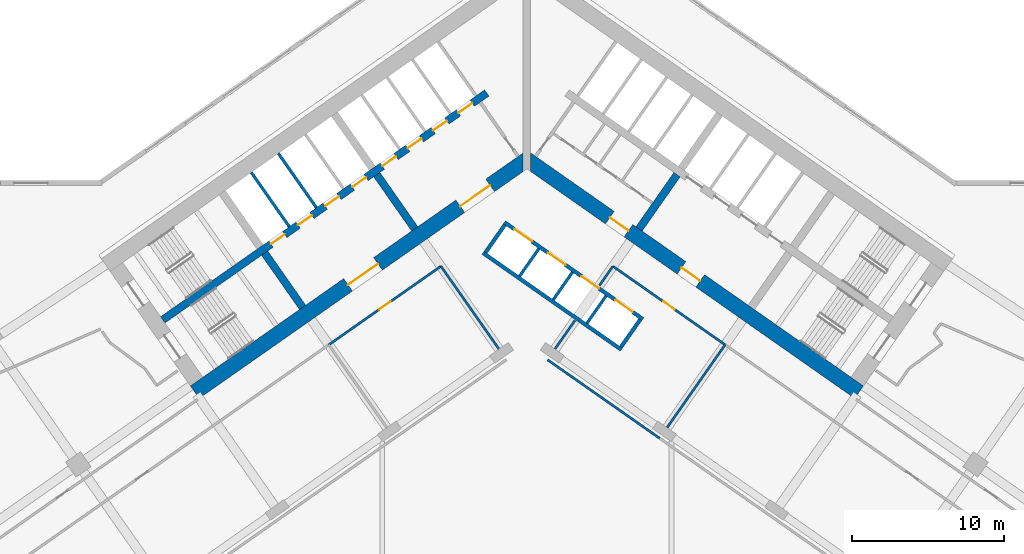
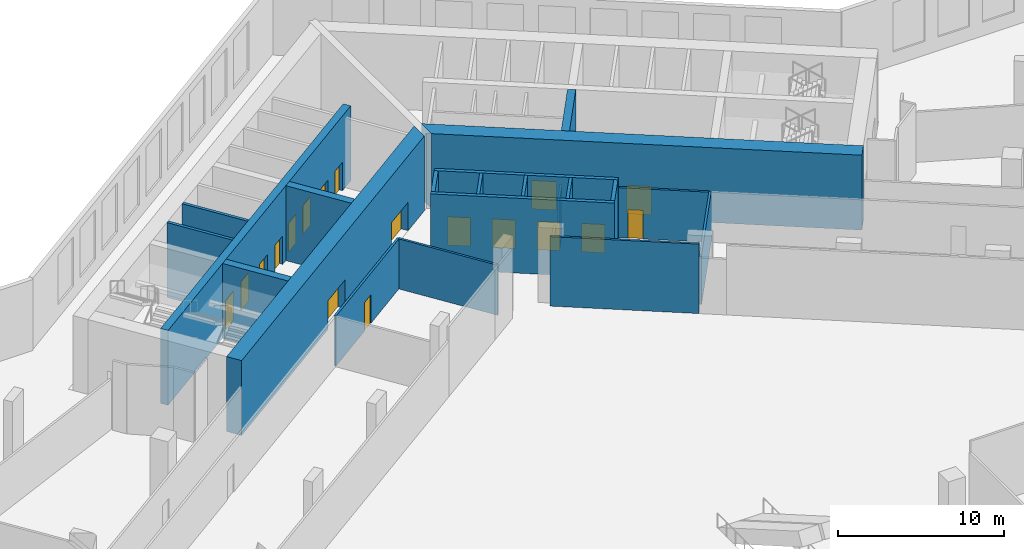
# One storey, part 10 of 26: 22 walls, 18 doors, 18 openings.
"""IFC4 building model written with IfcOpenShell, lengths in metres."""

from ifc_helpers import new_model, si_unit, direction, frame, frame_2d, origin, place, context, subcontext, project, spatial, polyline, rectangle, outline, extrude, material, layer, layer_set, type_object, element, fill, save


model = new_model("IFC4")

# Units and contexts
model_context = context("Model", 3, precision=1e-05, world=origin(), true_north=direction((0.0, 1.0)))
body_context = subcontext(model_context, "Body", "Model", "MODEL_VIEW")
ifc_project = project(units=[si_unit("LENGTHUNIT", "METRE"), si_unit("AREAUNIT", "SQUARE_METRE"), si_unit("VOLUMEUNIT", "CUBIC_METRE"), si_unit("PLANEANGLEUNIT", "RADIAN"), si_unit("MASSUNIT", "GRAM", prefix="KILO")], contexts=[model_context])

# Site, building, storey
site_placement = place(None, origin())
site = spatial("IfcSite", under=ifc_project, at=site_placement, CompositionType="ELEMENT")
building_placement = place(site_placement, origin())
building = spatial("IfcBuilding", under=site, at=building_placement, Name="Tel Ilan Convention Tower", CompositionType="ELEMENT")
storey_placement = place(building_placement, frame((0.0, 0.0, 37.5)))
storey = spatial("IfcBuildingStorey", under=building, at=storey_placement, Name="L05", CompositionType="ELEMENT", Elevation=37.5)

# Wall, openings, doors
ifc_material_1 = material(Name="Concrete C60/75", Category="concrete")
ifc_layer_1 = layer(ifc_material_1, 1.0)
ifc_layer_set_1 = layer_set([ifc_layer_1], Name="Core Shear Wall 1000 mm C60/75")
wall_type_1 = type_object("IfcWallType", Name="Core Shear Wall 1000 mm C60/75", PredefinedType="SHEAR", material=ifc_layer_set_1)
wall_1_placement = place(storey_placement, frame((0.036865234375, -0.584716796875, 0.0), z_axis=(0.0, 0.0, 1.0), x_axis=(-0.819157152511, -0.573569140985, 0.0)))
wall_1 = element("IfcWall", 1, at=wall_1_placement, inside=storey, type_object=wall_type_1, Name="L05 core wall W-front", PredefinedType="SHEAR", context=body_context, shape_type="SweptSolid", body=[
    extrude(outline(polyline([(26.69482421875, 0.500244140625), (0.7001953125, 0.499755859375), (0.0, -0.5), (26.69482421875, -0.499755859375), (26.69482421875, 0.500244140625)])), origin(), (0.0, 0.0, 1.0), 5.5),
])
opening_1_placement = place(wall_1_placement, frame((2.994873046875, 0.0, 0.0)))
opening_1 = element("IfcOpeningElement", 2, at=opening_1_placement, cuts=wall_1, Name="Opening CD0805", PredefinedType="OPENING", context=body_context, shape_type="SweptSolid", body=[
    extrude(rectangle(XDim=2.39990234375, YDim=2.10009765625, at=frame_2d((1.199951171875, 1.050048828125))), frame((0.0, 0.510009765625, 0.0), z_axis=(0.0, -1.0, 0.0), x_axis=(1.0, 0.0, 0.0)), (0.0, 0.0, 1.0), 1.02001953125),
])
opening_2_placement = place(wall_1_placement, frame((11.994873046875, 0.0, 0.0)))
opening_2 = element("IfcOpeningElement", 3, at=opening_2_placement, cuts=wall_1, Name="Opening CD0806", PredefinedType="OPENING", context=body_context, shape_type="SweptSolid", body=[
    extrude(rectangle(XDim=2.39990234375, YDim=2.10009765625, at=frame_2d((1.199951171875, 1.050048828125))), frame((0.0, 0.510009765625, 0.0), z_axis=(0.0, -1.0, 0.0), x_axis=(1.0, 0.0, 0.0)), (0.0, 0.0, 1.0), 1.02001953125),
])
ifc_material_2 = material(Name="Glazed Aluminium Door Leaf", Category="aluminium")
door_type_1 = type_object("IfcDoorType", Name="Lobby Opening Door 2400 x 2100 FD60S", OperationType="NOTDEFINED", PredefinedType="DOOR", material=ifc_material_2)
door_1_placement = place(opening_1_placement, origin())
door_1 = element("IfcDoor", 4, at=door_1_placement, inside=storey, type_object=door_type_1, Name="Lift Lobby LR1-LR4 opening", OperationType="DOUBLE_DOOR_SINGLE_SWING", OverallHeight=2.10009765625, OverallWidth=2.39990234375, PredefinedType="DOOR", context=body_context, shape_type="SweptSolid", body=[
    extrude(rectangle(XDim=2.39990234375, YDim=2.10009765625, at=frame_2d((1.199951171875, 1.050048828125))), frame((0.0, 0.02490234375, 0.0), z_axis=(0.0, -1.0, 0.0), x_axis=(1.0, 0.0, 0.0)), (0.0, 0.0, 1.0), 0.050048828125),
])
fill(opening_1, door_1)
door_2_placement = place(opening_2_placement, origin())
door_2 = element("IfcDoor", 5, at=door_2_placement, inside=storey, type_object=door_type_1, Name="Lift Lobby LR5-LR8 opening", OperationType="DOUBLE_DOOR_SINGLE_SWING", OverallHeight=2.10009765625, OverallWidth=2.39990234375, PredefinedType="DOOR", context=body_context, shape_type="SweptSolid", body=[
    extrude(rectangle(XDim=2.39990234375, YDim=2.10009765625, at=frame_2d((1.199951171875, 1.050048828125))), frame((0.0, 0.02490234375, 0.0), z_axis=(0.0, -1.0, 0.0), x_axis=(1.0, 0.0, 0.0)), (0.0, 0.0, 1.0), 0.050048828125),
])
fill(opening_2, door_2)

wall_2_placement = place(storey_placement, frame((-0.036865234375, -0.584716796875, 0.0), z_axis=(0.0, 0.0, 1.0), x_axis=(0.819157152511, -0.573569140985, 0.0)))
wall_2 = element("IfcWall", 6, at=wall_2_placement, inside=storey, type_object=wall_type_1, Name="L05 core wall E-front", PredefinedType="SHEAR", context=body_context, shape_type="SweptSolid", body=[
    extrude(outline(polyline([(26.69482421875, 0.499755859375), (0.0, 0.5), (0.7001953125, -0.499755859375), (26.69482421875, -0.500244140625), (26.69482421875, 0.499755859375)])), origin(), (0.0, 0.0, 1.0), 5.5),
])
opening_3_placement = place(wall_2_placement, frame((6.69482421875, 0.0, 0.0)))
opening_3 = element("IfcOpeningElement", 7, at=opening_3_placement, cuts=wall_2, Name="Opening CD0803", PredefinedType="OPENING", context=body_context, shape_type="SweptSolid", body=[
    extrude(rectangle(XDim=1.5, YDim=2.10009765625, at=frame_2d((0.75, 1.050048828125))), frame((0.0, 0.510009765625, 0.0), z_axis=(0.0, -1.0, 0.0), x_axis=(1.0, 0.0, 0.0)), (0.0, 0.0, 1.0), 1.02001953125),
])
opening_4_placement = place(wall_2_placement, frame((12.44482421875, 0.0, 0.0)))
opening_4 = element("IfcOpeningElement", 8, at=opening_4_placement, cuts=wall_2, Name="Opening CD0804", PredefinedType="OPENING", context=body_context, shape_type="SweptSolid", body=[
    extrude(rectangle(XDim=1.5, YDim=2.10009765625, at=frame_2d((0.75, 1.050048828125))), frame((0.0, 0.510009765625, 0.0), z_axis=(0.0, -1.0, 0.0), x_axis=(1.0, 0.0, 0.0)), (0.0, 0.0, 1.0), 1.02001953125),
])
ifc_material_3 = material(Name="Glazed Aluminium Door Leaf", Category="aluminium")
door_type_2 = type_object("IfcDoorType", Name="Lobby Opening Door 1500 x 2100 FD60S", OperationType="NOTDEFINED", PredefinedType="DOOR", material=ifc_material_3)
door_3_placement = place(opening_4_placement, origin())
door_3 = element("IfcDoor", 9, at=door_3_placement, inside=storey, type_object=door_type_2, Name="Firefighting Lobby door", OperationType="DOUBLE_DOOR_SINGLE_SWING", OverallHeight=2.10009765625, OverallWidth=1.5, PredefinedType="DOOR", context=body_context, shape_type="SweptSolid", body=[
    extrude(rectangle(XDim=1.5, YDim=2.10009765625, at=frame_2d((0.75, 1.050048828125))), frame((0.0, 0.02490234375, 0.0), z_axis=(0.0, -1.0, 0.0), x_axis=(1.0, 0.0, 0.0)), (0.0, 0.0, 1.0), 0.050048828125),
])
fill(opening_4, door_3)
ifc_material_4 = material(Name="Laminated Timber Door Leaf", Category="wood")
door_type_3 = type_object("IfcDoorType", Name="Toilet Door 1500 x 2100 FD30S", OperationType="NOTDEFINED", PredefinedType="DOOR", material=ifc_material_4)
door_4_placement = place(opening_3_placement, origin())
door_4 = element("IfcDoor", 10, at=door_4_placement, inside=storey, type_object=door_type_3, Name="WC Lobby door", OperationType="SINGLE_SWING_RIGHT", OverallHeight=2.10009765625, OverallWidth=1.5, PredefinedType="DOOR", context=body_context, shape_type="SweptSolid", body=[
    extrude(rectangle(XDim=1.5, YDim=2.10009765625, at=frame_2d((0.75, 1.050048828125))), frame((0.0, 0.02490234375, 0.0), z_axis=(0.0, -1.0, 0.0), x_axis=(1.0, 0.0, 0.0)), (0.0, 0.0, 1.0), 0.050048828125),
])
fill(opening_3, door_4)

# Walls
ifc_material_5 = material(Name="Concrete C60/75", Category="concrete")
ifc_layer_2 = layer(ifc_material_5, 0.5)
ifc_layer_set_2 = layer_set([ifc_layer_2], Name="Core Shear Wall 500 mm C60/75")
wall_type_2 = type_object("IfcWallType", Name="Core Shear Wall 500 mm C60/75", PredefinedType="SHEAR", material=ifc_layer_set_2)
wall_3_placement = place(storey_placement, frame((-7.372314453125, -5.162109375, 0.0), z_axis=(0.0, 0.0, 1.0), x_axis=(-0.573594173421, 0.819139624372, 0.0)))
element("IfcWall", 11, at=wall_3_placement, inside=storey, type_object=wall_type_2, Name="L05 core wall W-cross1-1", PredefinedType="SHEAR", context=body_context, shape_type="SweptSolid", body=[
    extrude(outline(polyline([(4.349853515625, 0.25), (0.0, 0.250244140625), (0.0, -0.25), (4.349853515625, -0.25), (4.349853515625, 0.25)])), origin(), (0.0, 0.0, 1.0), 5.5),
])
wall_4_placement = place(storey_placement, frame((-14.74462890625, -10.324462890625, 0.0), z_axis=(0.0, 0.0, 1.0), x_axis=(-0.57356780395, 0.819158088694, 0.0)))
element("IfcWall", 12, at=wall_4_placement, inside=storey, type_object=wall_type_2, Name="L05 core wall W-cross2-1", PredefinedType="SHEAR", context=body_context, shape_type="SweptSolid", body=[
    extrude(outline(polyline([(4.35009765625, 0.250244140625), (0.0, 0.25), (0.0, -0.25), (4.35009765625, -0.25), (4.35009765625, 0.250244140625)])), origin(), (0.0, 0.0, 1.0), 5.5),
])

# Wall, openings, doors
wall_5_placement = place(storey_placement, frame((-2.638427734375, 3.76806640625, 0.0), z_axis=(0.0, 0.0, 1.0), x_axis=(-0.819148977158, -0.573580816643, 0.0)))
wall_5 = element("IfcWall", 13, at=wall_5_placement, inside=storey, type_object=wall_type_2, Name="L05 core wall W-spine", PredefinedType="SHEAR", context=body_context, shape_type="SweptSolid", body=[
    extrude(outline(polyline([(26.0, 0.249755859375), (0.0, 0.25), (0.0, -0.25), (26.0, -0.250244140625), (26.0, 0.249755859375)])), origin(), (0.0, 0.0, 1.0), 5.5),
])
opening_5_placement = place(wall_5_placement, frame((1.168701171875, 0.0, 0.0)))
opening_5 = element("IfcOpeningElement", 14, at=opening_5_placement, cuts=wall_5, Name="Opening LD0804", PredefinedType="OPENING", context=body_context, shape_type="SweptSolid", body=[
    extrude(rectangle(XDim=1.10009765625, YDim=2.10009765625, at=frame_2d((0.550048828125, 1.050048828125))), frame((0.0, 0.260009765625, 0.0), z_axis=(0.0, -1.0, 0.0), x_axis=(1.0, 0.0, 0.0)), (0.0, 0.0, 1.0), 0.52001953125),
])
opening_6_placement = place(wall_5_placement, frame((3.206298828125, 0.0, 0.0)))
opening_6 = element("IfcOpeningElement", 15, at=opening_6_placement, cuts=wall_5, Name="Opening LD0805", PredefinedType="OPENING", context=body_context, shape_type="SweptSolid", body=[
    extrude(rectangle(XDim=1.10009765625, YDim=2.10009765625, at=frame_2d((0.550048828125, 1.050048828125))), frame((0.0, 0.260009765625, 0.0), z_axis=(0.0, -1.0, 0.0), x_axis=(1.0, 0.0, 0.0)), (0.0, 0.0, 1.0), 0.52001953125),
])
opening_7_placement = place(wall_5_placement, frame((5.24365234375, 0.0, 0.0)))
opening_7 = element("IfcOpeningElement", 16, at=opening_7_placement, cuts=wall_5, Name="Opening LD0806", PredefinedType="OPENING", context=body_context, shape_type="SweptSolid", body=[
    extrude(rectangle(XDim=1.10009765625, YDim=2.10009765625, at=frame_2d((0.550048828125, 1.050048828125))), frame((0.0, 0.260009765625, 0.0), z_axis=(0.0, -1.0, 0.0), x_axis=(1.0, 0.0, 0.0)), (0.0, 0.0, 1.0), 0.52001953125),
])
opening_8_placement = place(wall_5_placement, frame((7.28125, 0.0, 0.0)))
opening_8 = element("IfcOpeningElement", 17, at=opening_8_placement, cuts=wall_5, Name="Opening LD0807", PredefinedType="OPENING", context=body_context, shape_type="SweptSolid", body=[
    extrude(rectangle(XDim=1.10009765625, YDim=2.10009765625, at=frame_2d((0.550048828125, 1.050048828125))), frame((0.0, 0.260009765625, 0.0), z_axis=(0.0, -1.0, 0.0), x_axis=(1.0, 0.0, 0.0)), (0.0, 0.0, 1.0), 0.52001953125),
])
opening_9_placement = place(wall_5_placement, frame((9.6875, 0.0, 0.0)))
opening_9 = element("IfcOpeningElement", 18, at=opening_9_placement, cuts=wall_5, Name="Opening LD0808", PredefinedType="OPENING", context=body_context, shape_type="SweptSolid", body=[
    extrude(rectangle(XDim=1.10009765625, YDim=2.10009765625, at=frame_2d((0.550048828125, 1.050048828125))), frame((0.0, 0.260009765625, 0.0), z_axis=(0.0, -1.0, 0.0), x_axis=(1.0, 0.0, 0.0)), (0.0, 0.0, 1.0), 0.52001953125),
])
opening_10_placement = place(wall_5_placement, frame((11.862548828125, 0.0, 0.0)))
opening_10 = element("IfcOpeningElement", 19, at=opening_10_placement, cuts=wall_5, Name="Opening LD0809", PredefinedType="OPENING", context=body_context, shape_type="SweptSolid", body=[
    extrude(rectangle(XDim=1.10009765625, YDim=2.10009765625, at=frame_2d((0.550048828125, 1.050048828125))), frame((0.0, 0.260009765625, 0.0), z_axis=(0.0, -1.0, 0.0), x_axis=(1.0, 0.0, 0.0)), (0.0, 0.0, 1.0), 0.52001953125),
])
opening_11_placement = place(wall_5_placement, frame((14.03759765625, 0.0, 0.0)))
opening_11 = element("IfcOpeningElement", 20, at=opening_11_placement, cuts=wall_5, Name="Opening LD0810", PredefinedType="OPENING", context=body_context, shape_type="SweptSolid", body=[
    extrude(rectangle(XDim=1.10009765625, YDim=2.10009765625, at=frame_2d((0.550048828125, 1.050048828125))), frame((0.0, 0.260009765625, 0.0), z_axis=(0.0, -1.0, 0.0), x_axis=(1.0, 0.0, 0.0)), (0.0, 0.0, 1.0), 0.52001953125),
])
opening_12_placement = place(wall_5_placement, frame((16.21240234375, 0.0, 0.0)))
opening_12 = element("IfcOpeningElement", 21, at=opening_12_placement, cuts=wall_5, Name="Opening LD0811", PredefinedType="OPENING", context=body_context, shape_type="SweptSolid", body=[
    extrude(rectangle(XDim=1.10009765625, YDim=2.10009765625, at=frame_2d((0.550048828125, 1.050048828125))), frame((0.0, 0.260009765625, 0.0), z_axis=(0.0, -1.0, 0.0), x_axis=(1.0, 0.0, 0.0)), (0.0, 0.0, 1.0), 0.52001953125),
])
ifc_material_6 = material(Name="Stainless Steel Sliding Door Leaf", Category="steel")
door_type_4 = type_object("IfcDoorType", Name="Lift Landing Door 1100 x 2100 FD120", OperationType="NOTDEFINED", PredefinedType="DOOR", material=ifc_material_6)
door_5_placement = place(opening_5_placement, origin())
door_5 = element("IfcDoor", 22, at=door_5_placement, inside=storey, type_object=door_type_4, Name="Lift LR1 landing door", OperationType="SLIDING_TO_LEFT", OverallHeight=2.10009765625, OverallWidth=1.10009765625, PredefinedType="DOOR", context=body_context, shape_type="SweptSolid", body=[
    extrude(rectangle(XDim=1.10009765625, YDim=2.10009765625, at=frame_2d((0.550048828125, 1.050048828125))), frame((0.0, 0.02490234375, 0.0), z_axis=(0.0, -1.0, 0.0), x_axis=(1.0, 0.0, 0.0)), (0.0, 0.0, 1.0), 0.050048828125),
])
fill(opening_5, door_5)
door_6_placement = place(opening_6_placement, origin())
door_6 = element("IfcDoor", 23, at=door_6_placement, inside=storey, type_object=door_type_4, Name="Lift LR2 landing door", OperationType="SLIDING_TO_RIGHT", OverallHeight=2.10009765625, OverallWidth=1.10009765625, PredefinedType="DOOR", context=body_context, shape_type="SweptSolid", body=[
    extrude(rectangle(XDim=1.10009765625, YDim=2.10009765625, at=frame_2d((0.550048828125, 1.050048828125))), frame((0.0, 0.02490234375, 0.0), z_axis=(0.0, -1.0, 0.0), x_axis=(1.0, 0.0, 0.0)), (0.0, 0.0, 1.0), 0.050048828125),
])
fill(opening_6, door_6)
door_7_placement = place(opening_7_placement, origin())
door_7 = element("IfcDoor", 24, at=door_7_placement, inside=storey, type_object=door_type_4, Name="Lift LR3 landing door", OperationType="SLIDING_TO_LEFT", OverallHeight=2.10009765625, OverallWidth=1.10009765625, PredefinedType="DOOR", context=body_context, shape_type="SweptSolid", body=[
    extrude(rectangle(XDim=1.10009765625, YDim=2.10009765625, at=frame_2d((0.550048828125, 1.050048828125))), frame((0.0, 0.02490234375, 0.0), z_axis=(0.0, -1.0, 0.0), x_axis=(1.0, 0.0, 0.0)), (0.0, 0.0, 1.0), 0.050048828125),
])
fill(opening_7, door_7)
door_8_placement = place(opening_8_placement, origin())
door_8 = element("IfcDoor", 25, at=door_8_placement, inside=storey, type_object=door_type_4, Name="Lift LR4 landing door", OperationType="SLIDING_TO_RIGHT", OverallHeight=2.10009765625, OverallWidth=1.10009765625, PredefinedType="DOOR", context=body_context, shape_type="SweptSolid", body=[
    extrude(rectangle(XDim=1.10009765625, YDim=2.10009765625, at=frame_2d((0.550048828125, 1.050048828125))), frame((0.0, 0.02490234375, 0.0), z_axis=(0.0, -1.0, 0.0), x_axis=(1.0, 0.0, 0.0)), (0.0, 0.0, 1.0), 0.050048828125),
])
fill(opening_8, door_8)
door_9_placement = place(opening_9_placement, origin())
door_9 = element("IfcDoor", 26, at=door_9_placement, inside=storey, type_object=door_type_4, Name="Lift LR5 landing door", OperationType="SLIDING_TO_LEFT", OverallHeight=2.10009765625, OverallWidth=1.10009765625, PredefinedType="DOOR", context=body_context, shape_type="SweptSolid", body=[
    extrude(rectangle(XDim=1.10009765625, YDim=2.10009765625, at=frame_2d((0.550048828125, 1.050048828125))), frame((0.0, 0.02490234375, 0.0), z_axis=(0.0, -1.0, 0.0), x_axis=(1.0, 0.0, 0.0)), (0.0, 0.0, 1.0), 0.050048828125),
])
fill(opening_9, door_9)
door_10_placement = place(opening_10_placement, origin())
door_10 = element("IfcDoor", 27, at=door_10_placement, inside=storey, type_object=door_type_4, Name="Lift LR6 landing door", OperationType="SLIDING_TO_RIGHT", OverallHeight=2.10009765625, OverallWidth=1.10009765625, PredefinedType="DOOR", context=body_context, shape_type="SweptSolid", body=[
    extrude(rectangle(XDim=1.10009765625, YDim=2.10009765625, at=frame_2d((0.550048828125, 1.050048828125))), frame((0.0, 0.02490234375, 0.0), z_axis=(0.0, -1.0, 0.0), x_axis=(1.0, 0.0, 0.0)), (0.0, 0.0, 1.0), 0.050048828125),
])
fill(opening_10, door_10)
door_11_placement = place(opening_11_placement, origin())
door_11 = element("IfcDoor", 28, at=door_11_placement, inside=storey, type_object=door_type_4, Name="Lift LR7 landing door", OperationType="SLIDING_TO_LEFT", OverallHeight=2.10009765625, OverallWidth=1.10009765625, PredefinedType="DOOR", context=body_context, shape_type="SweptSolid", body=[
    extrude(rectangle(XDim=1.10009765625, YDim=2.10009765625, at=frame_2d((0.550048828125, 1.050048828125))), frame((0.0, 0.02490234375, 0.0), z_axis=(0.0, -1.0, 0.0), x_axis=(1.0, 0.0, 0.0)), (0.0, 0.0, 1.0), 0.050048828125),
])
fill(opening_11, door_11)
door_12_placement = place(opening_12_placement, origin())
door_12 = element("IfcDoor", 29, at=door_12_placement, inside=storey, type_object=door_type_4, Name="Lift LR8 landing door", OperationType="SLIDING_TO_RIGHT", OverallHeight=2.10009765625, OverallWidth=1.10009765625, PredefinedType="DOOR", context=body_context, shape_type="SweptSolid", body=[
    extrude(rectangle(XDim=1.10009765625, YDim=2.10009765625, at=frame_2d((0.550048828125, 1.050048828125))), frame((0.0, 0.02490234375, 0.0), z_axis=(0.0, -1.0, 0.0), x_axis=(1.0, 0.0, 0.0)), (0.0, 0.0, 1.0), 0.050048828125),
])
fill(opening_12, door_12)

# Wall
wall_6_placement = place(storey_placement, frame((7.372314453125, -5.162109375, 0.0), z_axis=(0.0, 0.0, 1.0), x_axis=(0.573594173421, 0.819139624372, 0.0)))
element("IfcWall", 30, at=wall_6_placement, inside=storey, type_object=wall_type_2, Name="L05 core wall E-cross1-1", PredefinedType="SHEAR", context=body_context, shape_type="SweptSolid", body=[
    extrude(outline(polyline([(0.0, 0.25), (0.0, -0.250244140625), (4.349853515625, -0.25), (4.349853515625, 0.25), (0.0, 0.25)])), origin(), (0.0, 0.0, 1.0), 5.5),
])

# Wall, opening, door
ifc_material_7 = material(Name="Plasterboard on Steel Studs", Category="steel")
ifc_layer_3 = layer(ifc_material_7, 0.14990234375)
ifc_layer_set_3 = layer_set([ifc_layer_3], Name="Fire-rated Partition 150 EI 60")
wall_type_3 = type_object("IfcWallType", Name="Fire-rated Partition 150 EI 60", PredefinedType="PARTITIONING", material=ifc_layer_set_3)
wall_7_placement = place(storey_placement, frame((13.025634765625, -12.782958984375, 0.0), z_axis=(0.0, 0.0, 1.0), x_axis=(-0.81915291695, 0.57357519006, 0.0)))
wall_7 = element("IfcWall", 31, at=wall_7_placement, inside=storey, type_object=wall_type_3, Name="Partition 002", PredefinedType="PARTITIONING", context=body_context, shape_type="SweptSolid", body=[
    extrude(rectangle(XDim=9.001953125, YDim=0.14990234375, at=frame_2d((4.5009765625, 0.0))), origin(), (0.0, 0.0, 1.0), 3.679931640625),
])
opening_13_placement = place(wall_7_placement, frame((4.051025390625, 0.0, 0.0)))
opening_13 = element("IfcOpeningElement", 32, at=opening_13_placement, cuts=wall_7, Name="Opening L05-004", PredefinedType="OPENING", context=body_context, shape_type="SweptSolid", body=[
    extrude(rectangle(XDim=0.89990234375, YDim=2.10009765625, at=frame_2d((0.449951171875, 1.050048828125))), frame((0.0, 0.0849609375, 0.0), z_axis=(0.0, -1.0, 0.0), x_axis=(1.0, 0.0, 0.0)), (0.0, 0.0, 1.0), 0.169921875),
])
ifc_material_8 = material(Name="Timber Door Leaf in Steel Frame", Category="steel")
door_type_5 = type_object("IfcDoorType", Name="Room Fire Door 900x2100", OperationType="NOTDEFINED", PredefinedType="DOOR", material=ifc_material_8)
door_13_placement = place(opening_13_placement, origin())
door_13 = element("IfcDoor", 33, at=door_13_placement, inside=storey, type_object=door_type_5, Name="Door L05-004", OperationType="SINGLE_SWING_LEFT", OverallHeight=2.10009765625, OverallWidth=0.89990234375, PredefinedType="DOOR", context=body_context, shape_type="SweptSolid", body=[
    extrude(rectangle(XDim=0.89990234375, YDim=2.10009765625, at=frame_2d((0.449951171875, 1.050048828125))), frame((0.0, 0.02490234375, 0.0), z_axis=(0.0, -1.0, 0.0), x_axis=(1.0, 0.0, 0.0)), (0.0, 0.0, 1.0), 0.050048828125),
])
fill(opening_13, door_13)

wall_8_placement = place(storey_placement, frame((-5.651611328125, -7.61962890625, 0.0), z_axis=(0.0, 0.0, 1.0), x_axis=(-0.81915291695, -0.57357519006, 0.0)))
wall_8 = element("IfcWall", 34, at=wall_8_placement, inside=storey, type_object=wall_type_3, Name="Partition 005", PredefinedType="PARTITIONING", context=body_context, shape_type="SweptSolid", body=[
    extrude(rectangle(XDim=9.001953125, YDim=0.14990234375, at=frame_2d((4.5009765625, 0.0))), origin(), (0.0, 0.0, 1.0), 3.679931640625),
])
opening_14_placement = place(wall_8_placement, frame((4.051025390625, 0.0, 0.0)))
opening_14 = element("IfcOpeningElement", 35, at=opening_14_placement, cuts=wall_8, Name="Opening L05-001", PredefinedType="OPENING", context=body_context, shape_type="SweptSolid", body=[
    extrude(rectangle(XDim=0.89990234375, YDim=2.10009765625, at=frame_2d((0.449951171875, 1.050048828125))), frame((0.0, 0.0849609375, 0.0), z_axis=(0.0, -1.0, 0.0), x_axis=(1.0, 0.0, 0.0)), (0.0, 0.0, 1.0), 0.169921875),
])
ifc_material_9 = material(Name="Timber Door Leaf in Steel Frame", Category="steel")
door_type_6 = type_object("IfcDoorType", Name="Riser and Service Fire Door 900x2100", OperationType="NOTDEFINED", PredefinedType="DOOR", material=ifc_material_9)
door_14_placement = place(opening_14_placement, origin())
door_14 = element("IfcDoor", 36, at=door_14_placement, inside=storey, type_object=door_type_6, Name="Door L05-001", OperationType="SINGLE_SWING_RIGHT", OverallHeight=2.10009765625, OverallWidth=0.89990234375, PredefinedType="DOOR", context=body_context, shape_type="SweptSolid", body=[
    extrude(rectangle(XDim=0.89990234375, YDim=2.10009765625, at=frame_2d((0.449951171875, 1.050048828125))), frame((0.0, 0.02490234375, 0.0), z_axis=(0.0, -1.0, 0.0), x_axis=(1.0, 0.0, 0.0)), (0.0, 0.0, 1.0), 0.050048828125),
])
fill(opening_14, door_14)

# Walls
wall_9_placement = place(storey_placement, frame((13.02392578125, -12.78173828125, 0.0), z_axis=(0.0, 0.0, 1.0), x_axis=(-0.573556251799, -0.819166177294, 0.0)))
element("IfcWall", 37, at=wall_9_placement, inside=storey, type_object=wall_type_3, Name="Partition 017", PredefinedType="PARTITIONING", context=body_context, shape_type="SweptSolid", body=[
    extrude(rectangle(XDim=6.630126953125, YDim=0.14990234375, at=frame_2d((3.31494140625, 0.0))), origin(), (0.0, 0.0, 1.0), 3.679931640625),
])
wall_10_placement = place(storey_placement, frame((8.72216796875, -18.925537109375, 0.0), z_axis=(0.0, 0.0, 1.0), x_axis=(-0.819141427692, 0.573591598124, 0.0)))
element("IfcWall", 38, at=wall_10_placement, inside=storey, type_object=wall_type_3, Name="Partition 018", PredefinedType="PARTITIONING", context=body_context, shape_type="SweptSolid", body=[
    extrude(rectangle(XDim=9.0, YDim=0.14990234375, at=frame_2d((4.5, 0.0))), origin(), (0.0, 0.0, 1.0), 5.10009765625),
])
wall_11_placement = place(storey_placement, frame((1.848876953125, -13.050537109375, 0.0), z_axis=(0.0, 0.0, 1.0), x_axis=(0.57358452344, 0.819146381589, 0.0)))
element("IfcWall", 39, at=wall_11_placement, inside=storey, type_object=wall_type_3, Name="Partition 019", PredefinedType="PARTITIONING", context=body_context, shape_type="SweptSolid", body=[
    extrude(rectangle(XDim=2.27978515625, YDim=0.14990234375, at=frame_2d((1.139892578125, 0.0))), origin(), (0.0, 0.0, 1.0), 3.679931640625),
])
wall_12_placement = place(storey_placement, frame((4.7626953125, -8.889404296875, 0.0), z_axis=(0.0, 0.0, 1.0), x_axis=(0.573494057365, 0.819209720504, 0.0)))
element("IfcWall", 40, at=wall_12_placement, inside=storey, type_object=wall_type_3, Name="Partition 020", PredefinedType="PARTITIONING", context=body_context, shape_type="SweptSolid", body=[
    extrude(rectangle(XDim=1.550048828125, YDim=0.14990234375, at=frame_2d((0.77490234375, 0.0))), origin(), (0.0, 0.0, 1.0), 3.679931640625),
])
wall_13_placement = place(storey_placement, frame((-1.848876953125, -13.050537109375, 0.0), z_axis=(0.0, 0.0, 1.0), x_axis=(-0.573575988258, 0.819152358047, 0.0)))
element("IfcWall", 41, at=wall_13_placement, inside=storey, type_object=wall_type_3, Name="Partition 071", PredefinedType="PARTITIONING", context=body_context, shape_type="SweptSolid", body=[
    extrude(rectangle(XDim=6.632080078125, YDim=0.14990234375, at=frame_2d((3.31591796875, 0.0))), origin(), (0.0, 0.0, 1.0), 3.679931640625),
])
ifc_material_10 = material(Name="Concrete C30/37", Category="concrete")
ifc_layer_4 = layer(ifc_material_10, 0.199951171875)
ifc_layer_set_4 = layer_set([ifc_layer_4], Name="Lift Shaft Wall 200 mm C30/37")
wall_type_4 = type_object("IfcWallType", Name="Lift Shaft Wall 200 mm C30/37", PredefinedType="SOLIDWALL", material=ifc_layer_set_4)
wall_14_placement = place(storey_placement, frame((-13.84033203125, -3.7705078125, 0.0), z_axis=(0.0, 0.0, 1.0), x_axis=(-0.57356780395, 0.819158088694, 0.0)))
element("IfcWall", 42, at=wall_14_placement, inside=storey, type_object=wall_type_4, Name="L05 core wall bank-W2-p1", PredefinedType="SOLIDWALL", context=body_context, shape_type="SweptSolid", body=[
    extrude(rectangle(XDim=4.35009765625, YDim=0.199951171875, at=frame_2d((2.175048828125, 0.0))), origin(), (0.0, 0.0, 1.0), 5.5),
])
wall_15_placement = place(storey_placement, frame((-15.6220703125, -5.017822265625, 0.0), z_axis=(0.0, 0.0, 1.0), x_axis=(-0.573594173421, 0.819139624372, 0.0)))
element("IfcWall", 43, at=wall_15_placement, inside=storey, type_object=wall_type_4, Name="L05 core wall bank-W2-p2", PredefinedType="SOLIDWALL", context=body_context, shape_type="SweptSolid", body=[
    extrude(rectangle(XDim=4.349853515625, YDim=0.199951171875, at=frame_2d((2.1748046875, 0.0))), origin(), (0.0, 0.0, 1.0), 5.5),
])
for number, where, z_axis, x_axis, name in (
    (44, (-0.48046875, -8.27001953125, 0.0), (0.0, 0.0, 1.0), (0.573633636671, 0.819111989218, 0.0), "L05 core wall pl-part-0"),
    (45, (1.731201171875, -9.818603515625, 0.0), (0.0, 0.0, 1.0), (0.573633636671, 0.819111989218, 0.0), "L05 core wall pl-part-1"),
    (46, (3.943115234375, -11.367431640625, 0.0), (0.0, 0.0, 1.0), (0.573507030513, 0.819200638399, 0.0), "L05 core wall pl-part-2"),
):
    element("IfcWall", number, at=place(storey_placement, frame(where, z_axis=z_axis, x_axis=x_axis)), inside=storey, type_object=wall_type_4, Name=name, PredefinedType="SOLIDWALL", context=body_context, shape_type="SweptSolid", body=[
        extrude(rectangle(XDim=2.199951171875, YDim=0.199951171875, at=frame_2d((1.10009765625, 0.0))), origin(), (0.0, 0.0, 1.0), 5.5),
    ])
ifc_material_11 = material(Name="Concrete C30/37", Category="concrete")
ifc_layer_5 = layer(ifc_material_11, 0.25)
ifc_layer_set_5 = layer_set([ifc_layer_5], Name="Lift Shaft Wall 250 mm C30/37")
wall_type_5 = type_object("IfcWallType", Name="Lift Shaft Wall 250 mm C30/37", PredefinedType="SOLIDWALL", material=ifc_layer_set_5)
wall_16_placement = place(storey_placement, frame((-2.88671875, -6.73779296875, 0.0), z_axis=(0.0, 0.0, 1.0), x_axis=(0.819150280716, -0.573578954985, 0.0)))
element("IfcWall", 47, at=wall_16_placement, inside=storey, type_object=wall_type_5, Name="L05 core wall pl-back", PredefinedType="SOLIDWALL", context=body_context, shape_type="SweptSolid", body=[
    extrude(rectangle(XDim=11.099853515625, YDim=0.25, at=frame_2d((5.5498046875, 0.0))), origin(), (0.0, 0.0, 1.0), 5.5),
])

# Wall, openings, doors
wall_17_placement = place(storey_placement, frame((-1.4814453125, -4.73095703125, 0.0), z_axis=(0.0, 0.0, 1.0), x_axis=(0.819150280716, -0.573578954985, 0.0)))
wall_17 = element("IfcWall", 48, at=wall_17_placement, inside=storey, type_object=wall_type_5, Name="L05 core wall pl-front", PredefinedType="SOLIDWALL", context=body_context, shape_type="SweptSolid", body=[
    extrude(rectangle(XDim=11.099853515625, YDim=0.25, at=frame_2d((5.5498046875, 0.0))), origin(), (0.0, 0.0, 1.0), 5.5),
])
opening_15_placement = place(wall_17_placement, frame((0.800048828125, 0.0, 0.0)))
opening_15 = element("IfcOpeningElement", 49, at=opening_15_placement, cuts=wall_17, Name="Opening LD0812", PredefinedType="OPENING", context=body_context, shape_type="SweptSolid", body=[
    extrude(rectangle(XDim=1.39990234375, YDim=2.10009765625, at=frame_2d((0.699951171875, 1.050048828125))), frame((0.0, 0.135009765625, 0.0), z_axis=(0.0, -1.0, 0.0), x_axis=(1.0, 0.0, 0.0)), (0.0, 0.0, 1.0), 0.27001953125),
])
opening_16_placement = place(wall_17_placement, frame((3.5, 0.0, 0.0)))
opening_16 = element("IfcOpeningElement", 50, at=opening_16_placement, cuts=wall_17, Name="Opening LD0813", PredefinedType="OPENING", context=body_context, shape_type="SweptSolid", body=[
    extrude(rectangle(XDim=1.39990234375, YDim=2.10009765625, at=frame_2d((0.699951171875, 1.050048828125))), frame((0.0, 0.135009765625, 0.0), z_axis=(0.0, -1.0, 0.0), x_axis=(1.0, 0.0, 0.0)), (0.0, 0.0, 1.0), 0.27001953125),
])
opening_17_placement = place(wall_17_placement, frame((6.199951171875, 0.0, 0.0)))
opening_17 = element("IfcOpeningElement", 51, at=opening_17_placement, cuts=wall_17, Name="Opening LD0814", PredefinedType="OPENING", context=body_context, shape_type="SweptSolid", body=[
    extrude(rectangle(XDim=1.39990234375, YDim=2.10009765625, at=frame_2d((0.699951171875, 1.050048828125))), frame((0.0, 0.135009765625, 0.0), z_axis=(0.0, -1.0, 0.0), x_axis=(1.0, 0.0, 0.0)), (0.0, 0.0, 1.0), 0.27001953125),
])
opening_18_placement = place(wall_17_placement, frame((8.89990234375, 0.0, 0.0)))
opening_18 = element("IfcOpeningElement", 52, at=opening_18_placement, cuts=wall_17, Name="Opening LD0815", PredefinedType="OPENING", context=body_context, shape_type="SweptSolid", body=[
    extrude(rectangle(XDim=1.39990234375, YDim=2.10009765625, at=frame_2d((0.699951171875, 1.050048828125))), frame((0.0, 0.135009765625, 0.0), z_axis=(0.0, -1.0, 0.0), x_axis=(1.0, 0.0, 0.0)), (0.0, 0.0, 1.0), 0.27001953125),
])
ifc_material_12 = material(Name="Stainless Steel Sliding Door Leaf", Category="steel")
door_type_7 = type_object("IfcDoorType", Name="Lift Landing Door 1400 x 2100 FD120", OperationType="NOTDEFINED", PredefinedType="DOOR", material=ifc_material_12)
door_15_placement = place(opening_15_placement, origin())
door_15 = element("IfcDoor", 53, at=door_15_placement, inside=storey, type_object=door_type_7, Name="Lift PL1 landing door", OperationType="SLIDING_TO_LEFT", OverallHeight=2.10009765625, OverallWidth=1.39990234375, PredefinedType="DOOR", context=body_context, shape_type="SweptSolid", body=[
    extrude(rectangle(XDim=1.39990234375, YDim=2.10009765625, at=frame_2d((0.699951171875, 1.050048828125))), frame((0.0, 0.02490234375, 0.0), z_axis=(0.0, -1.0, 0.0), x_axis=(1.0, 0.0, 0.0)), (0.0, 0.0, 1.0), 0.050048828125),
])
fill(opening_15, door_15)
door_16_placement = place(opening_16_placement, origin())
door_16 = element("IfcDoor", 54, at=door_16_placement, inside=storey, type_object=door_type_7, Name="Lift PL2 landing door", OperationType="SLIDING_TO_RIGHT", OverallHeight=2.10009765625, OverallWidth=1.39990234375, PredefinedType="DOOR", context=body_context, shape_type="SweptSolid", body=[
    extrude(rectangle(XDim=1.39990234375, YDim=2.10009765625, at=frame_2d((0.699951171875, 1.050048828125))), frame((0.0, 0.02490234375, 0.0), z_axis=(0.0, -1.0, 0.0), x_axis=(1.0, 0.0, 0.0)), (0.0, 0.0, 1.0), 0.050048828125),
])
fill(opening_16, door_16)
door_17_placement = place(opening_17_placement, origin())
door_17 = element("IfcDoor", 55, at=door_17_placement, inside=storey, type_object=door_type_7, Name="Lift PL3 landing door", OperationType="SLIDING_TO_LEFT", OverallHeight=2.10009765625, OverallWidth=1.39990234375, PredefinedType="DOOR", context=body_context, shape_type="SweptSolid", body=[
    extrude(rectangle(XDim=1.39990234375, YDim=2.10009765625, at=frame_2d((0.699951171875, 1.050048828125))), frame((0.0, 0.02490234375, 0.0), z_axis=(0.0, -1.0, 0.0), x_axis=(1.0, 0.0, 0.0)), (0.0, 0.0, 1.0), 0.050048828125),
])
fill(opening_17, door_17)
door_18_placement = place(opening_18_placement, origin())
door_18 = element("IfcDoor", 56, at=door_18_placement, inside=storey, type_object=door_type_7, Name="Lift PL4 landing door", OperationType="SLIDING_TO_RIGHT", OverallHeight=2.10009765625, OverallWidth=1.39990234375, PredefinedType="DOOR", context=body_context, shape_type="SweptSolid", body=[
    extrude(rectangle(XDim=1.39990234375, YDim=2.10009765625, at=frame_2d((0.699951171875, 1.050048828125))), frame((0.0, 0.02490234375, 0.0), z_axis=(0.0, -1.0, 0.0), x_axis=(1.0, 0.0, 0.0)), (0.0, 0.0, 1.0), 0.050048828125),
])
fill(opening_18, door_18)

# Walls
wall_18_placement = place(storey_placement, frame((-2.712646484375, -6.70703125, 0.0), z_axis=(0.0, 0.0, 1.0), x_axis=(0.573581496053, 0.819148501424, 0.0)))
element("IfcWall", 57, at=wall_18_placement, inside=storey, type_object=wall_type_5, Name="L05 core wall pl-end-a", PredefinedType="SOLIDWALL", context=body_context, shape_type="SweptSolid", body=[
    extrude(rectangle(XDim=2.2001953125, YDim=0.25, at=frame_2d((1.10009765625, 0.0))), origin(), (0.0, 0.0, 1.0), 5.5),
])
wall_19_placement = place(storey_placement, frame((6.17529296875, -12.930419921875, 0.0), z_axis=(0.0, 0.0, 1.0), x_axis=(0.573559170999, 0.819164133348, 0.0)))
element("IfcWall", 58, at=wall_19_placement, inside=storey, type_object=wall_type_5, Name="L05 core wall pl-end-b", PredefinedType="SOLIDWALL", context=body_context, shape_type="SweptSolid", body=[
    extrude(rectangle(XDim=2.19970703125, YDim=0.25, at=frame_2d((1.099853515625, 0.0))), origin(), (0.0, 0.0, 1.0), 5.5),
])

save(model, "model.ifc")
